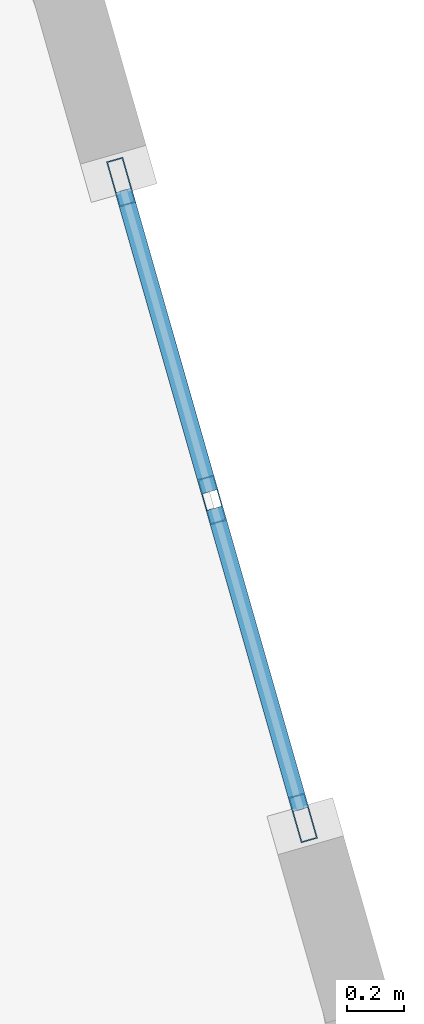
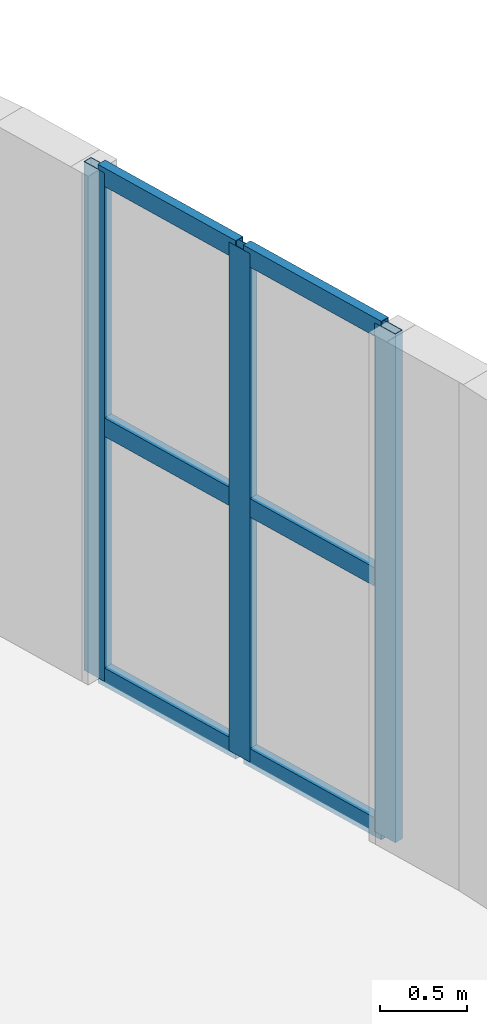
# One storey, part 7 of 16: 9 members, 1 element without a shape of its own.
"""IFC4 building model written with IfcOpenShell, lengths in metres."""

import ifcopenshell
import ifcopenshell.guid

model = None  # the IFC model being written
_history = None  # IfcOwnerHistory: only IFC2X3 demands one
_inside = {}  # id of a spatial element -> (the spatial element, [elements in it])
_under = {}  # id of a project, library or spatial element -> (it, [spatial elements below it])
_declared = {}  # id of a project -> (the project, [libraries it declares])
_typed = {}  # id of a type object -> (the type object, [elements of that type])
_made_of = {}  # id of a material, layer set ... -> (it, [elements and type objects made of it])


def new_model(schema):
    """Start an empty IFC model of exactly this schema.

    Asked for "IFC4X3", IfcOpenShell would pick the latest addendum, in which some entities
    have other attributes; the version numbers below select the first issue.
    IFC2X3 requires an IfcOwnerHistory on every rooted entity: one is made here for all.
    """
    global model, _history
    if schema == "IFC4X3":
        model = ifcopenshell.file(schema_version=(4, 3, 0, 0))
    else:
        model = ifcopenshell.file(schema=schema)
    _inside.clear()
    _under.clear()
    _declared.clear()
    _typed.clear()
    _made_of.clear()
    _history = None
    if model.schema == "IFC2X3":
        org = make("IfcOrganization", Name="unknown")
        user = make(
            "IfcPersonAndOrganization",
            ThePerson=make("IfcPerson", FamilyName="unknown"),
            TheOrganization=org,
        )
        app = make(
            "IfcApplication",
            ApplicationDeveloper=org,
            Version="unknown",
            ApplicationFullName="unknown",
            ApplicationIdentifier="unknown",
        )
        _history = make(
            "IfcOwnerHistory",
            OwningUser=user,
            OwningApplication=app,
            ChangeAction="ADDED",
            CreationDate=0,
        )
    return model


def make(cls, **values):
    """One entity of the class cls with the attributes given. An attribute that is None is left unset."""
    return model.create_entity(
        cls, **{name: value for name, value in values.items() if value is not None}
    )


def rooted(cls, **values):
    """An entity with a GlobalId (a new one), such as an element, a storey or a relation."""
    return make(cls, GlobalId=ifcopenshell.guid.new(), OwnerHistory=_history, **values)


def si_unit(unit_type, name, prefix=None):
    """IfcSIUnit, for example si_unit("LENGTHUNIT", "METRE", prefix="MILLI")."""
    return make("IfcSIUnit", UnitType=unit_type, Prefix=prefix, Name=name)


def assignment(units):
    """IfcUnitAssignment: the units of a project."""
    return None if units is None else make("IfcUnitAssignment", Units=units)


def point(xyz):
    """IfcCartesianPoint."""
    return None if xyz is None else make("IfcCartesianPoint", Coordinates=xyz)


def direction(xyz):
    """IfcDirection."""
    return None if xyz is None else make("IfcDirection", DirectionRatios=xyz)


def frame(location, z_axis=None, x_axis=None):
    """IfcAxis2Placement3D, a coordinate frame: its origin and axes. An axis left out is left unset."""
    return make(
        "IfcAxis2Placement3D",
        Location=point(location),
        Axis=direction(z_axis),
        RefDirection=direction(x_axis),
    )


def frame_2d(location, x_axis=None):
    """IfcAxis2Placement2D, a coordinate frame in the plane: its origin and x axis."""
    return make(
        "IfcAxis2Placement2D", Location=point(location), RefDirection=direction(x_axis)
    )


def origin():
    """The frame at (0, 0, 0) with its axes left unset."""
    return frame((0.0, 0.0, 0.0))


def origin_2d():
    """The frame at (0, 0) in the plane with its x axis left unset."""
    return frame_2d((0.0, 0.0))


def place(relative_to, where):
    """IfcLocalPlacement: puts the frame where relative to a parent placement (None: the world)."""
    return make(
        "IfcLocalPlacement", PlacementRelTo=relative_to, RelativePlacement=where
    )


def context(
    kind, dimensions, precision=None, world=None, true_north=None, identifier=None
):
    """IfcGeometricRepresentationContext, for example the 3D "Model" context."""
    return make(
        "IfcGeometricRepresentationContext",
        ContextIdentifier=identifier,
        ContextType=kind,
        CoordinateSpaceDimension=dimensions,
        Precision=precision,
        WorldCoordinateSystem=world,
        TrueNorth=true_north,
    )


def subcontext(parent, identifier, kind, view, scale=None):
    """IfcGeometricRepresentationSubContext, for example "Body" below "Model"."""
    return make(
        "IfcGeometricRepresentationSubContext",
        ContextIdentifier=identifier,
        ContextType=kind,
        ParentContext=parent,
        TargetScale=scale,
        TargetView=view,
    )


def project(units=None, contexts=None):
    """IfcProject with its units and contexts."""
    return rooted(
        "IfcProject",
        Name="project",
        RepresentationContexts=contexts,
        UnitsInContext=assignment(units),
    )


def spatial(cls, under=None, at=None, **own):
    """A site, building, storey or space (cls), placed at a placement, below another one or the project."""
    s = rooted(cls, ObjectPlacement=at, **own)
    if under is not None:
        _under.setdefault(under.id(), (under, []))[1].append(s)
    return s


def profile(cls, at=None, kind="AREA", **sizes):
    """A parametric profile (cls). Its sizes go by their IFC names, for example OverallWidth=200.0."""
    return make(cls, ProfileType=kind, Position=at, **sizes)


def hollow_rectangle(**sizes):
    """IfcRectangleHollowProfileDef."""
    return profile("IfcRectangleHollowProfileDef", **sizes)


def extrude(swept, where, along, depth):
    """IfcExtrudedAreaSolid: the profile swept, set in the frame where, extruded along a direction by depth."""
    return make(
        "IfcExtrudedAreaSolid",
        SweptArea=swept,
        Position=where,
        ExtrudedDirection=direction(along),
        Depth=depth,
    )


def shape(context_of_items, identifier, shape_type, items):
    """IfcShapeRepresentation: the items that make up one representation, for example the "Body"."""
    return make(
        "IfcShapeRepresentation",
        ContextOfItems=context_of_items,
        RepresentationIdentifier=identifier,
        RepresentationType=shape_type,
        Items=items,
    )


def material(Name=None, Category=None):
    """IfcMaterial."""
    return make("IfcMaterial", Name=Name, Category=Category)


def layer(
    of_material, thickness, ventilated=None, Name=None, Category=None, Priority=None
):
    """IfcMaterialLayer: one layer of a wall or slab, of a material (None: an air gap)."""
    return make(
        "IfcMaterialLayer",
        Material=of_material,
        LayerThickness=thickness,
        IsVentilated=ventilated,
        Name=Name,
        Category=Category,
        Priority=Priority,
    )


def layer_set(layers, Name=None):
    """IfcMaterialLayerSet."""
    return make("IfcMaterialLayerSet", MaterialLayers=layers, LayerSetName=Name)


def material_profile(
    of_material, cross_section, Name=None, Category=None, Priority=None
):
    """IfcMaterialProfile: a cross section and its material."""
    return make(
        "IfcMaterialProfile",
        Name=Name,
        Material=of_material,
        Profile=cross_section,
        Priority=Priority,
        Category=Category,
    )


def profile_set(profiles, Name=None, composite=None):
    """IfcMaterialProfileSet."""
    return make(
        "IfcMaterialProfileSet",
        Name=Name,
        MaterialProfiles=profiles,
        CompositeProfile=composite,
    )


def made_of(thing, what):
    """Note that an element or type object is made of a material, layer set ...; save() writes the relation."""
    if what is not None:
        _made_of.setdefault(what.id(), (what, []))[1].append(thing)
    return thing


def type_object(cls, material=None, **own):
    """A type object (cls), such as IfcWallType, which elements share."""
    return made_of(rooted(cls, **own), material)


def element(
    cls,
    number,
    at=None,
    inside=None,
    cuts=None,
    type_object=None,
    material=None,
    context=None,
    identifier="Body",
    shape_type=None,
    held_by="IfcProductDefinitionShape",
    body=None,
    shapes=None,
    **own,
):
    """One element of the class cls, such as IfcWall. Its Tag is "e" and its number.

    at: its placement. inside: the storey or other place that contains it. cuts: it is an
    opening in that element (IfcRelVoidsElement). A single representation is given by context,
    identifier, shape_type and body (its items); several are given by shapes. held_by: the class
    of the entity that holds the representations. save() writes the other relations.
    """
    e = rooted(cls, Tag="e%d" % number, ObjectPlacement=at, **own)
    if body is not None:
        shapes = [shape(context, identifier, shape_type, body)]
    if shapes is not None:
        e.Representation = make(held_by, Representations=shapes)
    if inside is not None:
        _inside.setdefault(inside.id(), (inside, []))[1].append(e)
    if cuts is not None:
        rooted(
            "IfcRelVoidsElement", RelatingBuildingElement=cuts, RelatedOpeningElement=e
        )
    if type_object is not None:
        _typed.setdefault(type_object.id(), (type_object, []))[1].append(e)
    return made_of(e, material)


def aggregate(whole, parts):
    """IfcRelAggregates: a whole, such as a stair, and the parts it consists of."""
    return rooted("IfcRelAggregates", RelatingObject=whole, RelatedObjects=parts)


def save(model, path):
    """Write the relations noted so far, then the file.

    IfcRelAggregates (storeys below a building ...), IfcRelContainedInSpatialStructure (elements
    in a storey), IfcRelDefinesByType, IfcRelAssociatesMaterial and IfcRelDeclares: one each for
    every whole, place, type object, material and project.
    """
    for whole, parts in _under.values():
        aggregate(whole, parts)
    for where, things in _inside.values():
        rooted(
            "IfcRelContainedInSpatialStructure",
            RelatedElements=things,
            RelatingStructure=where,
        )
    for kind, things in _typed.values():
        rooted("IfcRelDefinesByType", RelatedObjects=things, RelatingType=kind)
    for what, things in _made_of.values():
        rooted("IfcRelAssociatesMaterial", RelatedObjects=things, RelatingMaterial=what)
    for by, libraries in _declared.values():
        rooted("IfcRelDeclares", RelatingContext=by, RelatedDefinitions=libraries)
    model.write(path)


model = new_model("IFC4")

# Units and contexts
model_context = context("Model", 3, precision=1e-05, world=origin(), true_north=direction((0.0, 1.0)))
body_context = subcontext(model_context, "Body", "Model", "MODEL_VIEW")
ifc_project = project(units=[si_unit("LENGTHUNIT", "METRE"), si_unit("AREAUNIT", "SQUARE_METRE"), si_unit("VOLUMEUNIT", "CUBIC_METRE"), si_unit("PLANEANGLEUNIT", "RADIAN"), si_unit("MASSUNIT", "GRAM", prefix="KILO")], contexts=[model_context])

# Site, building, storey
site_placement = place(None, origin())
site = spatial("IfcSite", under=ifc_project, at=site_placement, CompositionType="ELEMENT")
building_placement = place(site_placement, origin())
building = spatial("IfcBuilding", under=site, at=building_placement, Name="Miruveldt Soraemaru", CompositionType="ELEMENT")
storey_placement = place(building_placement, frame((0.0, 0.0, 271.25)))
storey = spatial("IfcBuildingStorey", under=building, at=storey_placement, Name="L74", CompositionType="ELEMENT", Elevation=271.25)

# Curtain wall, members
ifc_material = material(Name="Anodised aluminium EN AW-6063 T6", Category="aluminium")
ifc_layer = layer(ifc_material, 0.1650390625, Name="Anodised aluminium EN AW-6063 T6", Category="aluminium")
ifc_layer_set = layer_set([ifc_layer], Name="Anodised aluminium EN AW-6063 T6")
curtain_wall_type = type_object("IfcCurtainWallType", Name="CW-SYS-5", PredefinedType="USERDEFINED", material=ifc_layer_set)
curtain_wall_placement = place(storey_placement, origin())
curtain_wall = element("IfcCurtainWall", 1, at=curtain_wall_placement, inside=storey, type_object=curtain_wall_type, Name="L74 Curtain Wall Bay 36", ObjectType="UNITISED GLAZING", PredefinedType="USERDEFINED")
ifc_material_profile_1 = material_profile(ifc_material, hollow_rectangle(XDim=0.06005859375, YDim=0.1650390625, WallThickness=0.00390625, at=origin_2d()), Name="Anodised aluminium EN AW-6063 T6", Category="aluminium")
ifc_profile_set_1 = profile_set([ifc_material_profile_1], Name="Anodised aluminium EN AW-6063 T6")
member_type_1 = type_object("IfcMemberType", Name="CWM-5", PredefinedType="MULLION", material=ifc_profile_set_1)
member_1_placement = place(storey_placement, frame((61.193603515625, 42.1357421875, 0.0), z_axis=(0.0, 0.0, 1.0), x_axis=(-0.961449487938, -0.274981603283, 0.0)))
member_1 = element("IfcMember", 2, at=member_1_placement, type_object=member_type_1, Name="CW-5 mullion 1", PredefinedType="MULLION", context=body_context, shape_type="SweptSolid", body=[
    extrude(hollow_rectangle(XDim=0.06005859375, YDim=0.1650390625, WallThickness=0.00390625, at=origin_2d()), origin(), (0.0, 0.0, 1.0), 3.56494140625),
])
member_2_placement = place(storey_placement, frame((60.874267578125, 43.252685546875, 0.0), z_axis=(0.0, 0.0, 1.0), x_axis=(-0.961449487938, -0.274981603283, 0.0)))
member_2 = element("IfcMember", 3, at=member_2_placement, type_object=member_type_1, Name="CW-5 mullion 2", PredefinedType="MULLION", context=body_context, shape_type="SweptSolid", body=[
    extrude(hollow_rectangle(XDim=0.06005859375, YDim=0.1650390625, WallThickness=0.00390625, at=origin_2d()), origin(), (0.0, 0.0, 1.0), 3.56494140625),
])
member_3_placement = place(storey_placement, frame((60.554931640625, 44.369384765625, 0.0), z_axis=(0.0, 0.0, 1.0), x_axis=(-0.961449487938, -0.274981603283, 0.0)))
member_3 = element("IfcMember", 4, at=member_3_placement, type_object=member_type_1, Name="CW-5 mullion 3", PredefinedType="MULLION", context=body_context, shape_type="SweptSolid", body=[
    extrude(hollow_rectangle(XDim=0.06005859375, YDim=0.1650390625, WallThickness=0.00390625, at=origin_2d()), origin(), (0.0, 0.0, 1.0), 3.56494140625),
])
ifc_material_profile_2 = material_profile(ifc_material, hollow_rectangle(XDim=0.06005859375, YDim=0.1298828125, WallThickness=0.00390625, at=origin_2d()), Name="Anodised aluminium EN AW-6063 T6", Category="aluminium")
ifc_profile_set_2 = profile_set([ifc_material_profile_2], Name="Anodised aluminium EN AW-6063 T6")
member_type_2 = type_object("IfcMemberType", Name="CWT-5", PredefinedType="USERDEFINED", material=ifc_profile_set_2)
member_4_placement = place(storey_placement, frame((61.185302734375, 42.164794921875, 0.030029296875), z_axis=(-0.274838220659, 0.961490484854, 0.0), x_axis=(-0.961490484854, -0.274838220659, 0.0)))
member_4 = element("IfcMember", 5, at=member_4_placement, type_object=member_type_2, Name="CW-5 transom 1.1", ObjectType="TRANSOM", PredefinedType="USERDEFINED", context=body_context, shape_type="SweptSolid", body=[
    extrude(hollow_rectangle(XDim=0.06005859375, YDim=0.1298828125, WallThickness=0.00390625, at=origin_2d()), origin(), (0.0, 0.0, 1.0), 1.1015625),
])
member_5_placement = place(storey_placement, frame((61.185302734375, 42.164794921875, 1.782470703125), z_axis=(-0.274838220659, 0.961490484854, 0.0), x_axis=(-0.961490484854, -0.274838220659, 0.0)))
member_5 = element("IfcMember", 6, at=member_5_placement, type_object=member_type_2, Name="CW-5 transom 1.2", ObjectType="TRANSOM", PredefinedType="USERDEFINED", context=body_context, shape_type="SweptSolid", body=[
    extrude(hollow_rectangle(XDim=0.06005859375, YDim=0.1298828125, WallThickness=0.00390625, at=origin_2d()), origin(), (0.0, 0.0, 1.0), 1.1015625),
])
member_6_placement = place(storey_placement, frame((61.185302734375, 42.164794921875, 3.534912109375), z_axis=(-0.274838220659, 0.961490484854, 0.0), x_axis=(-0.961490484854, -0.274838220659, 0.0)))
member_6 = element("IfcMember", 7, at=member_6_placement, type_object=member_type_2, Name="CW-5 transom 1.3", ObjectType="TRANSOM", PredefinedType="USERDEFINED", context=body_context, shape_type="SweptSolid", body=[
    extrude(hollow_rectangle(XDim=0.06005859375, YDim=0.1298828125, WallThickness=0.00390625, at=origin_2d()), origin(), (0.0, 0.0, 1.0), 1.1015625),
])
member_7_placement = place(storey_placement, frame((60.865966796875, 43.281494140625, 0.030029296875), z_axis=(-0.275043103569, 0.961431896277, 0.0), x_axis=(-0.961431896277, -0.275043103569, 0.0)))
member_7 = element("IfcMember", 8, at=member_7_placement, type_object=member_type_2, Name="CW-5 transom 2.1", ObjectType="TRANSOM", PredefinedType="USERDEFINED", context=body_context, shape_type="SweptSolid", body=[
    extrude(hollow_rectangle(XDim=0.06005859375, YDim=0.1298828125, WallThickness=0.00390625, at=origin_2d()), origin(), (0.0, 0.0, 1.0), 1.1015625),
])
member_8_placement = place(storey_placement, frame((60.865966796875, 43.281494140625, 1.782470703125), z_axis=(-0.275043103569, 0.961431896277, 0.0), x_axis=(-0.961431896277, -0.275043103569, 0.0)))
member_8 = element("IfcMember", 9, at=member_8_placement, type_object=member_type_2, Name="CW-5 transom 2.2", ObjectType="TRANSOM", PredefinedType="USERDEFINED", context=body_context, shape_type="SweptSolid", body=[
    extrude(hollow_rectangle(XDim=0.06005859375, YDim=0.1298828125, WallThickness=0.00390625, at=origin_2d()), origin(), (0.0, 0.0, 1.0), 1.1015625),
])
member_9_placement = place(storey_placement, frame((60.865966796875, 43.281494140625, 3.534912109375), z_axis=(-0.275043103569, 0.961431896277, 0.0), x_axis=(-0.961431896277, -0.275043103569, 0.0)))
member_9 = element("IfcMember", 10, at=member_9_placement, type_object=member_type_2, Name="CW-5 transom 2.3", ObjectType="TRANSOM", PredefinedType="USERDEFINED", context=body_context, shape_type="SweptSolid", body=[
    extrude(hollow_rectangle(XDim=0.06005859375, YDim=0.1298828125, WallThickness=0.00390625, at=origin_2d()), origin(), (0.0, 0.0, 1.0), 1.1015625),
])
aggregate(curtain_wall, [member_1, member_2, member_3, member_4, member_5, member_6, member_7, member_8, member_9])

save(model, "model.ifc")
